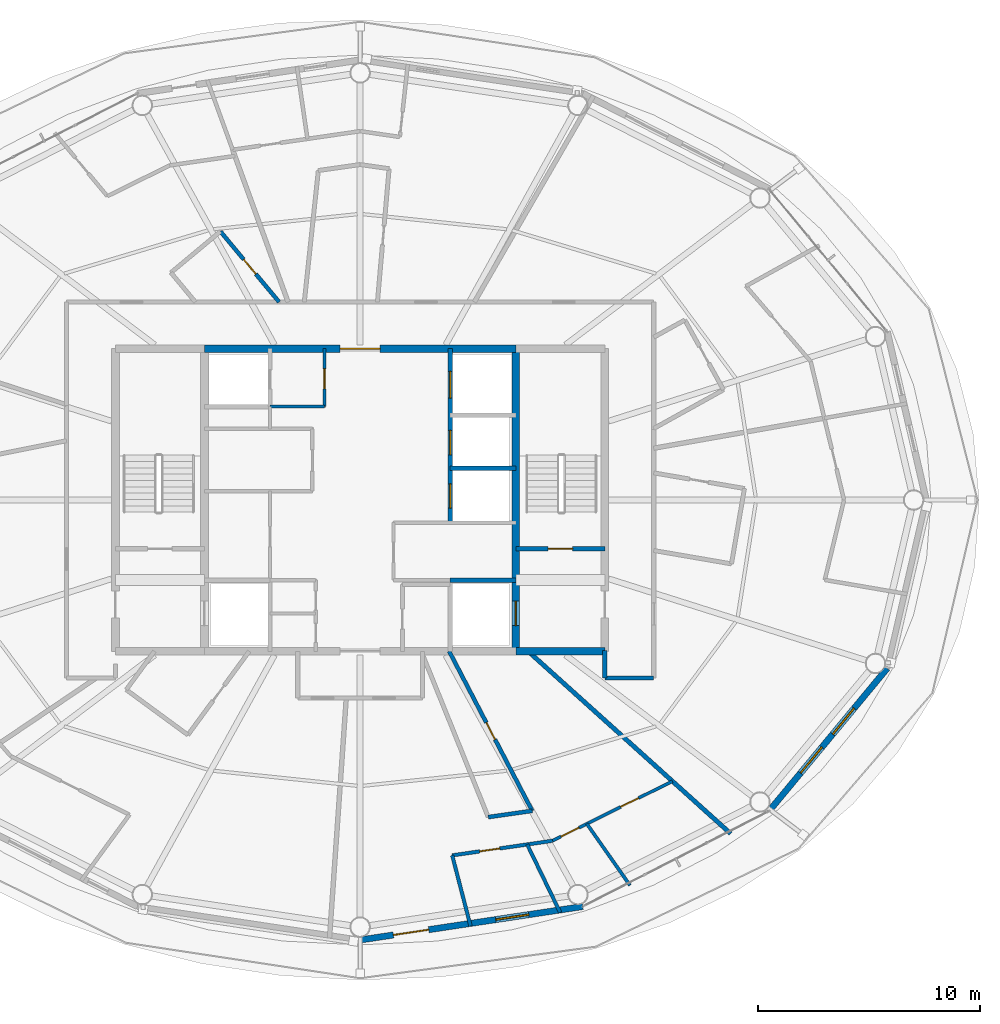
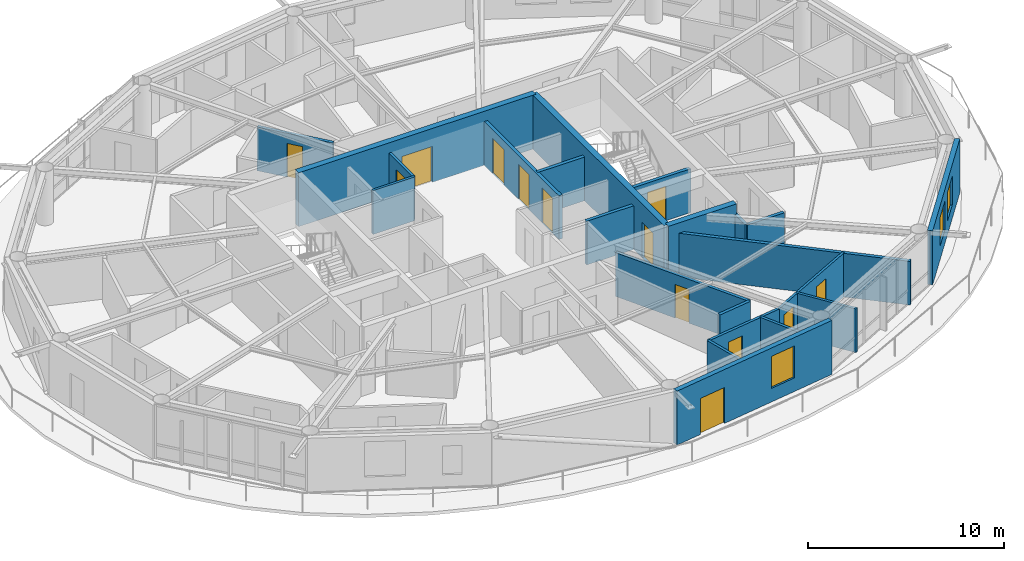
# One storey, part 17 of 22: 22 walls, 13 doors, 3 windows, 16 openings.
"""IFC4 building model written with IfcOpenShell, lengths in metres."""

from ifc_helpers import new_model, si_unit, direction, frame, frame_2d, origin, place, context, subcontext, project, spatial, rectangle, extrude, material, layer, layer_set, type_object, element, fill, save


model = new_model("IFC4")

# Units and contexts
model_context = context("Model", 3, precision=1e-05, world=origin(), true_north=direction((0.0, 1.0)))
body_context = subcontext(model_context, "Body", "Model", "MODEL_VIEW")
ifc_project = project(units=[si_unit("LENGTHUNIT", "METRE"), si_unit("AREAUNIT", "SQUARE_METRE"), si_unit("VOLUMEUNIT", "CUBIC_METRE"), si_unit("PLANEANGLEUNIT", "RADIAN"), si_unit("MASSUNIT", "GRAM", prefix="KILO")], contexts=[model_context])

# Site, building, storey
site_placement = place(None, origin())
site = spatial("IfcSite", under=ifc_project, at=site_placement, CompositionType="ELEMENT")
building_placement = place(site_placement, origin())
building = spatial("IfcBuilding", under=site, at=building_placement, Name="Sarneth Arch Tower", CompositionType="ELEMENT")
storey_placement = place(building_placement, frame((0.0, 0.0, 298.199951171875)))
storey = spatial("IfcBuildingStorey", under=building, at=storey_placement, Name="L77", CompositionType="ELEMENT", Elevation=298.199951171875)

# Wall
ifc_material_1 = material(Name="Concrete C50/60", Category="concrete")
ifc_layer_1 = layer(ifc_material_1, 0.35009765625)
ifc_layer_set_1 = layer_set([ifc_layer_1], Name="Concrete C50/60")
wall_type_1 = type_object("IfcWallType", Name="WALL-CORE-350", PredefinedType="SHEAR", material=ifc_layer_set_1)
wall_1_placement = place(storey_placement, frame((55.0, 35.199951171875, 0.0), z_axis=(0.0, 0.0, 1.0), x_axis=(1.0, 0.0, 0.0)))
element("IfcWall", 1, at=wall_1_placement, inside=storey, type_object=wall_type_1, Name="L77 Core shear wall S-E", PredefinedType="SHEAR", context=body_context, shape_type="SweptSolid", body=[
    extrude(rectangle(XDim=4.0, YDim=0.35009765625, at=frame_2d((2.0, 0.0))), origin(), (0.0, 0.0, 1.0), 3.3701171875),
])

# Wall, opening, door
wall_2_placement = place(storey_placement, frame((41.0, 48.800048828125, 0.0), z_axis=(0.0, 0.0, 1.0), x_axis=(1.0, 0.0, 0.0)))
wall_2 = element("IfcWall", 2, at=wall_2_placement, inside=storey, type_object=wall_type_1, Name="L77 Core shear wall N-M", PredefinedType="SHEAR", context=body_context, shape_type="SweptSolid", body=[
    extrude(rectangle(XDim=14.0, YDim=0.35009765625, at=frame_2d((7.0, 0.0))), origin(), (0.0, 0.0, 1.0), 3.3701171875),
])
opening_1_placement = place(wall_2_placement, frame((6.10009765625, 0.0, 0.0)))
opening_1 = element("IfcOpeningElement", 3, at=opening_1_placement, cuts=wall_2, Name="Opening FD-01", PredefinedType="OPENING", context=body_context, shape_type="SweptSolid", body=[
    extrude(rectangle(XDim=1.800048828125, YDim=2.25, at=frame_2d((0.89990234375, 1.125))), frame((0.0, 0.18505859375, 0.0), z_axis=(0.0, -1.0, 0.0), x_axis=(1.0, 0.0, 0.0)), (0.0, 0.0, 1.0), 0.3701171875),
])
ifc_material_2 = material(Name="Galvanised Steel S275 fire door set", Category="steel")
door_type_1 = type_object("IfcDoorType", Name="DR-FD90-1800", OperationType="DOUBLE_DOOR_SINGLE_SWING", PredefinedType="DOOR", material=ifc_material_2)
door_1_placement = place(opening_1_placement, origin())
door_1 = element("IfcDoor", 4, at=door_1_placement, inside=storey, type_object=door_type_1, Name="L77 Central lift lobby north door", OperationType="DOUBLE_DOOR_SINGLE_SWING", OverallHeight=2.25, OverallWidth=1.800048828125, PredefinedType="DOOR", context=body_context, shape_type="SweptSolid", body=[
    extrude(rectangle(XDim=1.800048828125, YDim=2.25, at=frame_2d((0.89990234375, 1.125))), frame((0.0, 0.02490234375, 0.0), z_axis=(0.0, -1.0, 0.0), x_axis=(1.0, 0.0, 0.0)), (0.0, 0.0, 1.0), 0.050048828125),
])
fill(opening_1, door_1)

wall_3_placement = place(storey_placement, frame((55.0, 35.199951171875, 0.0), z_axis=(0.0, 0.0, 1.0), x_axis=(0.0, 1.0, 0.0)))
wall_3 = element("IfcWall", 5, at=wall_3_placement, inside=storey, type_object=wall_type_1, Name="L77 Core shear wall WEB-E", PredefinedType="SHEAR", context=body_context, shape_type="SweptSolid", body=[
    extrude(rectangle(XDim=13.60009765625, YDim=0.35009765625, at=frame_2d((6.800048828125, 0.0))), origin(), (0.0, 0.0, 1.0), 3.3701171875),
])
opening_2_placement = place(wall_3_placement, frame((1.14990234375, 0.0, 0.0)))
opening_2 = element("IfcOpeningElement", 6, at=opening_2_placement, cuts=wall_3, Name="Opening LD-1", PredefinedType="OPENING", context=body_context, shape_type="SweptSolid", body=[
    extrude(rectangle(XDim=1.10009765625, YDim=2.199951171875, at=frame_2d((0.550048828125, 1.10009765625))), frame((0.0, 0.18505859375, 0.0), z_axis=(0.0, -1.0, 0.0), x_axis=(1.0, 0.0, 0.0)), (0.0, 0.0, 1.0), 0.3701171875),
])
ifc_material_3 = material(Name="Brushed Stainless Steel 304 lift landing door", Category="steel")
door_type_2 = type_object("IfcDoorType", Name="DR-LIFT-SLIDE-1100", OperationType="SLIDING_TO_LEFT", PredefinedType="DOOR", material=ifc_material_3)
door_2_placement = place(opening_2_placement, origin())
door_2 = element("IfcDoor", 7, at=door_2_placement, inside=storey, type_object=door_type_2, Name="L77 Firefighting lift landing door FL-2", OperationType="SLIDING_TO_RIGHT", OverallHeight=2.199951171875, OverallWidth=1.10009765625, PredefinedType="DOOR", context=body_context, shape_type="SweptSolid", body=[
    extrude(rectangle(XDim=1.10009765625, YDim=2.199951171875, at=frame_2d((0.550048828125, 1.10009765625))), frame((0.0, 0.02490234375, 0.0), z_axis=(0.0, -1.0, 0.0), x_axis=(1.0, 0.0, 0.0)), (0.0, 0.0, 1.0), 0.050048828125),
])
fill(opening_2, door_2)

# Walls
ifc_material_4 = material(Name="Double steel-stud corridor fire wall", Category="steel")
ifc_layer_2 = layer(ifc_material_4, 0.18994140625)
ifc_layer_set_2 = layer_set([ifc_layer_2], Name="Double steel-stud corridor fire wall")
wall_type_2 = type_object("IfcWallType", Name="WALL-CORR-190", PredefinedType="PARTITIONING", material=ifc_layer_set_2)
wall_4_placement = place(storey_placement, frame((61.199951171875, 34.0, 0.0), z_axis=(0.0, 0.0, 1.0), x_axis=(-1.0, 0.0, 0.0)))
element("IfcWall", 8, at=wall_4_placement, inside=storey, type_object=wall_type_2, Name="L77 Interior partition W-L77-TP-018", PredefinedType="PARTITIONING", context=body_context, shape_type="SweptSolid", body=[
    extrude(rectangle(XDim=2.199951171875, YDim=0.18994140625, at=frame_2d((1.10009765625, 0.0))), origin(), (0.0, 0.0, 1.0), 2.72998046875),
])
wall_5_placement = place(storey_placement, frame((59.0, 34.0, 0.0), z_axis=(0.0, 0.0, 1.0), x_axis=(0.0, 1.0, 0.0)))
element("IfcWall", 9, at=wall_5_placement, inside=storey, type_object=wall_type_2, Name="L77 Interior partition W-L77-TP-019", PredefinedType="PARTITIONING", context=body_context, shape_type="SweptSolid", body=[
    extrude(rectangle(XDim=1.23193359375, YDim=0.18994140625, at=frame_2d((0.615966796875, 0.0))), origin(), (0.0, 0.0, 1.0), 2.72998046875),
])

# Wall, openings, door, window
ifc_material_5 = material(Name="Extruded terracotta rainscreen on Concrete C40/50 backing", Category="masonry")
ifc_layer_3 = layer(ifc_material_5, 0.280029296875)
ifc_layer_set_3 = layer_set([ifc_layer_3], Name="Extruded terracotta rainscreen on Concrete C40/50 backing")
wall_type_3 = type_object("IfcWallType", Name="WALL-EXT-TERRA-280", PredefinedType="SOLIDWALL", material=ifc_layer_set_3)
wall_6_placement = place(storey_placement, frame((48.0, 22.219970703125, 0.0), z_axis=(0.0, 0.0, 1.0), x_axis=(0.988882522213, 0.148698881169, 0.0)))
wall_6 = element("IfcWall", 10, at=wall_6_placement, inside=storey, type_object=wall_type_3, Name="L77 Terracotta perimeter wall 13", PredefinedType="SOLIDWALL", context=body_context, shape_type="SweptSolid", body=[
    extrude(rectangle(XDim=10.125244140625, YDim=0.280029296875, at=frame_2d((5.0625, 0.0))), origin(), (0.0, 0.0, 1.0), 3.3701171875),
])
opening_3_placement = place(wall_6_placement, frame((1.51611328125, 0.0, 0.0)))
opening_3 = element("IfcOpeningElement", 11, at=opening_3_placement, cuts=wall_6, Name="Opening BD-1", PredefinedType="OPENING", context=body_context, shape_type="SweptSolid", body=[
    extrude(rectangle(XDim=1.60009765625, YDim=2.25, at=frame_2d((0.800048828125, 1.125))), frame((0.0, 0.14990234375, 0.0), z_axis=(0.0, -1.0, 0.0), x_axis=(1.0, 0.0, 0.0)), (0.0, 0.0, 1.0), 0.300048828125),
])
opening_4_placement = place(wall_6_placement, frame((6.169189453125, 0.0, 0.85009765625)))
opening_4 = element("IfcOpeningElement", 12, at=opening_4_placement, cuts=wall_6, Name="Opening W-06", PredefinedType="OPENING", context=body_context, shape_type="SweptSolid", body=[
    extrude(rectangle(XDim=1.5, YDim=2.0, at=frame_2d((0.75, 1.0))), frame((0.0, 0.14990234375, 0.0), z_axis=(0.0, -1.0, 0.0), x_axis=(1.0, 0.0, 0.0)), (0.0, 0.0, 1.0), 0.300048828125),
])
ifc_material_6 = material(Name="Thermally broken Aluminium 6063-T6 and laminated safety glass", Category="aluminium")
door_type_3 = type_object("IfcDoorType", Name="DR-BALC-GLZ-1600", OperationType="DOUBLE_DOOR_SINGLE_SWING", PredefinedType="DOOR", material=ifc_material_6)
door_3_placement = place(opening_3_placement, origin())
door_3 = element("IfcDoor", 13, at=door_3_placement, inside=storey, type_object=door_type_3, Name="L77 Balcony glazed door 13", OperationType="DOUBLE_DOOR_SINGLE_SWING", OverallHeight=2.25, OverallWidth=1.60009765625, PredefinedType="DOOR", context=body_context, shape_type="SweptSolid", body=[
    extrude(rectangle(XDim=1.60009765625, YDim=2.25, at=frame_2d((0.800048828125, 1.125))), frame((0.0, 0.02490234375, 0.0), z_axis=(0.0, -1.0, 0.0), x_axis=(1.0, 0.0, 0.0)), (0.0, 0.0, 1.0), 0.050048828125),
])
fill(opening_3, door_3)
ifc_material_7 = material(Name="Thermally broken Aluminium 6063-T6 and low-e laminated IGU", Category="aluminium")
window_type_1 = type_object("IfcWindowType", Name="WIN-TWR-1500x2000", PartitioningType="SINGLE_PANEL", PredefinedType="WINDOW", material=ifc_material_7)
window_1_placement = place(opening_4_placement, origin())
window_1 = element("IfcWindow", 14, at=window_1_placement, inside=storey, type_object=window_type_1, Name="L77 Exterior window 13A", OverallHeight=2.0, OverallWidth=1.5, PartitioningType="SINGLE_PANEL", PredefinedType="WINDOW", context=body_context, shape_type="SweptSolid", body=[
    extrude(rectangle(XDim=1.5, YDim=2.0, at=frame_2d((0.75, 1.0))), frame((0.0, 0.030029296875, 0.0), z_axis=(0.0, -1.0, 0.0), x_axis=(1.0, 0.0, 0.0)), (0.0, 0.0, 1.0), 0.06005859375),
])
fill(opening_4, window_1)

# Wall, openings, windows
wall_7_placement = place(storey_placement, frame((66.382568359375, 28.013427734375, 0.0), z_axis=(0.0, 0.0, 1.0), x_axis=(0.63761509934, 0.770355103243, 0.0)))
wall_7 = element("IfcWall", 15, at=wall_7_placement, inside=storey, type_object=wall_type_3, Name="L77 Terracotta perimeter wall 15", PredefinedType="SOLIDWALL", context=body_context, shape_type="SweptSolid", body=[
    extrude(rectangle(XDim=8.329833984375, YDim=0.280029296875, at=frame_2d((4.1650390625, 0.0))), origin(), (0.0, 0.0, 1.0), 3.3701171875),
])
opening_5_placement = place(wall_7_placement, frame((2.226318359375, 0.0, 0.85009765625)))
opening_5 = element("IfcOpeningElement", 16, at=opening_5_placement, cuts=wall_7, Name="Opening W-07", PredefinedType="OPENING", context=body_context, shape_type="SweptSolid", body=[
    extrude(rectangle(XDim=1.5, YDim=1.800048828125, at=frame_2d((0.75, 0.89990234375))), frame((0.0, 0.14990234375, 0.0), z_axis=(0.0, -1.0, 0.0), x_axis=(1.0, 0.0, 0.0)), (0.0, 0.0, 1.0), 0.300048828125),
])
opening_6_placement = place(wall_7_placement, frame((4.496337890625, 0.0, 0.85009765625)))
opening_6 = element("IfcOpeningElement", 17, at=opening_6_placement, cuts=wall_7, Name="Opening W-07", PredefinedType="OPENING", context=body_context, shape_type="SweptSolid", body=[
    extrude(rectangle(XDim=1.5, YDim=1.800048828125, at=frame_2d((0.75, 0.89990234375))), frame((0.0, 0.14990234375, 0.0), z_axis=(0.0, -1.0, 0.0), x_axis=(1.0, 0.0, 0.0)), (0.0, 0.0, 1.0), 0.300048828125),
])
ifc_material_8 = material(Name="Thermally broken Aluminium 6063-T6 and low-e laminated IGU", Category="aluminium")
window_type_2 = type_object("IfcWindowType", Name="WIN-TWR-1500x1800", PartitioningType="SINGLE_PANEL", PredefinedType="WINDOW", material=ifc_material_8)
window_2_placement = place(opening_5_placement, origin())
window_2 = element("IfcWindow", 18, at=window_2_placement, inside=storey, type_object=window_type_2, Name="L77 Exterior window 15A", OverallHeight=1.800048828125, OverallWidth=1.5, PartitioningType="SINGLE_PANEL", PredefinedType="WINDOW", context=body_context, shape_type="SweptSolid", body=[
    extrude(rectangle(XDim=1.5, YDim=1.800048828125, at=frame_2d((0.75, 0.89990234375))), frame((0.0, 0.030029296875, 0.0), z_axis=(0.0, -1.0, 0.0), x_axis=(1.0, 0.0, 0.0)), (0.0, 0.0, 1.0), 0.06005859375),
])
fill(opening_5, window_2)
window_3_placement = place(opening_6_placement, origin())
window_3 = element("IfcWindow", 19, at=window_3_placement, inside=storey, type_object=window_type_2, Name="L77 Exterior window 15B", OverallHeight=1.800048828125, OverallWidth=1.5, PartitioningType="SINGLE_PANEL", PredefinedType="WINDOW", context=body_context, shape_type="SweptSolid", body=[
    extrude(rectangle(XDim=1.5, YDim=1.800048828125, at=frame_2d((0.75, 0.89990234375))), frame((0.0, 0.030029296875, 0.0), z_axis=(0.0, -1.0, 0.0), x_axis=(1.0, 0.0, 0.0)), (0.0, 0.0, 1.0), 0.06005859375),
])
fill(opening_6, window_3)

# Wall, openings, doors
ifc_material_9 = material(Name="Apartment internal stud partition", Category="gypsum")
ifc_layer_4 = layer(ifc_material_9, 0.139892578125)
ifc_layer_set_4 = layer_set([ifc_layer_4], Name="Apartment internal stud partition")
wall_type_4 = type_object("IfcWallType", Name="WALL-PART-140", PredefinedType="PARTITIONING", material=ifc_layer_set_4)
wall_8_placement = place(storey_placement, frame((56.65478515625, 26.68212890625, 0.0), z_axis=(0.0, 0.0, 1.0), x_axis=(0.895585218268, 0.444890005304, 0.0)))
wall_8 = element("IfcWall", 20, at=wall_8_placement, inside=storey, type_object=wall_type_4, Name="L77 Interior partition W-L77-TP-084", PredefinedType="PARTITIONING", context=body_context, shape_type="SweptSolid", body=[
    extrude(rectangle(XDim=6.013916015625, YDim=0.139892578125, at=frame_2d((3.0068359375, 0.0))), origin(), (0.0, 0.0, 1.0), 2.72998046875),
])
opening_7_placement = place(wall_8_placement, frame((3.414794921875, 0.0, 0.0)))
opening_7 = element("IfcOpeningElement", 21, at=opening_7_placement, cuts=wall_8, Name="Opening ID-01", PredefinedType="OPENING", context=body_context, shape_type="SweptSolid", body=[
    extrude(rectangle(XDim=0.89990234375, YDim=2.10009765625, at=frame_2d((0.449951171875, 1.050048828125))), frame((0.0, 0.079833984375, 0.0), z_axis=(0.0, -1.0, 0.0), x_axis=(1.0, 0.0, 0.0)), (0.0, 0.0, 1.0), 0.159912109375),
])
opening_8_placement = place(wall_8_placement, frame((0.424072265625, 0.0, 0.0)))
opening_8 = element("IfcOpeningElement", 22, at=opening_8_placement, cuts=wall_8, Name="Opening ID-01", PredefinedType="OPENING", context=body_context, shape_type="SweptSolid", body=[
    extrude(rectangle(XDim=0.89990234375, YDim=2.10009765625, at=frame_2d((0.449951171875, 1.050048828125))), frame((0.0, 0.079833984375, 0.0), z_axis=(0.0, -1.0, 0.0), x_axis=(1.0, 0.0, 0.0)), (0.0, 0.0, 1.0), 0.159912109375),
])
ifc_material_10 = material(Name="Engineered hardwood flush door", Category="wood")
door_type_4 = type_object("IfcDoorType", Name="DR-INT-900", OperationType="SINGLE_SWING_LEFT", PredefinedType="DOOR", material=ifc_material_10)
door_4_placement = place(opening_7_placement, origin())
door_4 = element("IfcDoor", 23, at=door_4_placement, inside=storey, type_object=door_type_4, Name="L77 Interior door DR-L77-U6-BED2", OperationType="SINGLE_SWING_RIGHT", OverallHeight=2.10009765625, OverallWidth=0.89990234375, PredefinedType="DOOR", context=body_context, shape_type="SweptSolid", body=[
    extrude(rectangle(XDim=0.89990234375, YDim=2.10009765625, at=frame_2d((0.449951171875, 1.050048828125))), frame((0.0, 0.02490234375, 0.0), z_axis=(0.0, -1.0, 0.0), x_axis=(1.0, 0.0, 0.0)), (0.0, 0.0, 1.0), 0.050048828125),
])
fill(opening_7, door_4)
door_5_placement = place(opening_8_placement, origin())
door_5 = element("IfcDoor", 24, at=door_5_placement, inside=storey, type_object=door_type_4, Name="L77 Interior door DR-L77-U6-BED1", OperationType="SINGLE_SWING_RIGHT", OverallHeight=2.10009765625, OverallWidth=0.89990234375, PredefinedType="DOOR", context=body_context, shape_type="SweptSolid", body=[
    extrude(rectangle(XDim=0.89990234375, YDim=2.10009765625, at=frame_2d((0.449951171875, 1.050048828125))), frame((0.0, 0.02490234375, 0.0), z_axis=(0.0, -1.0, 0.0), x_axis=(1.0, 0.0, 0.0)), (0.0, 0.0, 1.0), 0.050048828125),
])
fill(opening_8, door_5)

# Wall
ifc_material_11 = material(Name="Acoustic gypsum stud partition", Category="gypsum")
ifc_layer_5 = layer(ifc_material_11, 0.14990234375)
ifc_layer_set_5 = layer_set([ifc_layer_5], Name="Acoustic gypsum stud partition")
wall_type_5 = type_object("IfcWallType", Name="WALL-PART-150", PredefinedType="PARTITIONING", material=ifc_layer_set_5)
wall_9_placement = place(storey_placement, frame((43.949951171875, 46.199951171875, 0.0), z_axis=(0.0, 0.0, 1.0), x_axis=(1.0, 0.0, 0.0)))
element("IfcWall", 25, at=wall_9_placement, inside=storey, type_object=wall_type_5, Name="L77 Interior partition W-L77-CSUP3-S", PredefinedType="PARTITIONING", context=body_context, shape_type="SweptSolid", body=[
    extrude(rectangle(XDim=2.449951171875, YDim=0.14990234375, at=frame_2d((1.22509765625, 0.0))), origin(), (0.0, 0.0, 1.0), 2.72998046875),
])

# Wall, opening, door
wall_10_placement = place(storey_placement, frame((46.39990234375, 46.199951171875, 0.0), z_axis=(0.0, 0.0, 1.0), x_axis=(0.0, 1.0, 0.0)))
wall_10 = element("IfcWall", 26, at=wall_10_placement, inside=storey, type_object=wall_type_5, Name="L77 Interior partition W-L77-CSUP3-E", PredefinedType="PARTITIONING", context=body_context, shape_type="SweptSolid", body=[
    extrude(rectangle(XDim=2.60009765625, YDim=0.14990234375, at=frame_2d((1.300048828125, 0.0))), origin(), (0.0, 0.0, 1.0), 2.72998046875),
])
opening_9_placement = place(wall_10_placement, frame((0.800048828125, 0.0, 0.0)))
opening_9 = element("IfcOpeningElement", 27, at=opening_9_placement, cuts=wall_10, Name="Opening FD-10", PredefinedType="OPENING", context=body_context, shape_type="SweptSolid", body=[
    extrude(rectangle(XDim=0.89990234375, YDim=2.14990234375, at=frame_2d((0.449951171875, 1.074951171875))), frame((0.0, 0.0849609375, 0.0), z_axis=(0.0, -1.0, 0.0), x_axis=(1.0, 0.0, 0.0)), (0.0, 0.0, 1.0), 0.169921875),
])
ifc_material_12 = material(Name="Galvanised Steel S275 riser/service fire door", Category="steel")
door_type_5 = type_object("IfcDoorType", Name="DR-FD60-900", OperationType="SINGLE_SWING_LEFT", PredefinedType="DOOR", material=ifc_material_12)
door_6_placement = place(opening_9_placement, origin())
door_6 = element("IfcDoor", 28, at=door_6_placement, inside=storey, type_object=door_type_5, Name="L77 Interior door DR-L77-CSUP3", OperationType="SINGLE_SWING_LEFT", OverallHeight=2.14990234375, OverallWidth=0.89990234375, PredefinedType="DOOR", context=body_context, shape_type="SweptSolid", body=[
    extrude(rectangle(XDim=0.89990234375, YDim=2.14990234375, at=frame_2d((0.449951171875, 1.074951171875))), frame((0.0, 0.02490234375, 0.0), z_axis=(0.0, -1.0, 0.0), x_axis=(1.0, 0.0, 0.0)), (0.0, 0.0, 1.0), 0.050048828125),
])
fill(opening_9, door_6)

# Wall
wall_11_placement = place(storey_placement, frame((58.19140625, 27.4453125, 0.0), z_axis=(0.0, 0.0, 1.0), x_axis=(0.573559302344, -0.819164041383, 0.0)))
element("IfcWall", 29, at=wall_11_placement, inside=storey, type_object=wall_type_5, Name="L77 Interior partition W-L77-TP-087", PredefinedType="PARTITIONING", context=body_context, shape_type="SweptSolid", body=[
    extrude(rectangle(XDim=3.379638671875, YDim=0.14990234375, at=frame_2d((1.68994140625, 0.0))), origin(), (0.0, 0.0, 1.0), 2.72998046875),
])

# Wall, opening, door
ifc_material_13 = material(Name="Kitchen wet service chase wall", Category="gypsum")
ifc_layer_6 = layer(ifc_material_13, 0.159912109375)
ifc_layer_set_6 = layer_set([ifc_layer_6], Name="Kitchen wet service chase wall")
wall_type_6 = type_object("IfcWallType", Name="WALL-PLUMB-160", PredefinedType="PLUMBINGWALL", material=ifc_layer_set_6)
wall_12_placement = place(storey_placement, frame((52.14111328125, 26.02392578125, 0.0), z_axis=(0.0, 0.0, 1.0), x_axis=(0.989534254842, 0.144298158322, 0.0)))
wall_12 = element("IfcWall", 30, at=wall_12_placement, inside=storey, type_object=wall_type_6, Name="L77 Interior partition W-L77-TP-078", PredefinedType="PLUMBINGWALL", context=body_context, shape_type="SweptSolid", body=[
    extrude(rectangle(XDim=4.5615234375, YDim=0.159912109375, at=frame_2d((2.28076171875, 0.0))), origin(), (0.0, 0.0, 1.0), 2.72998046875),
])
opening_10_placement = place(wall_12_placement, frame((1.252197265625, 0.0, 0.0)))
opening_10 = element("IfcOpeningElement", 31, at=opening_10_placement, cuts=wall_12, Name="Opening ID-01", PredefinedType="OPENING", context=body_context, shape_type="SweptSolid", body=[
    extrude(rectangle(XDim=0.89990234375, YDim=2.10009765625, at=frame_2d((0.449951171875, 1.050048828125))), frame((0.0, 0.08984375, 0.0), z_axis=(0.0, -1.0, 0.0), x_axis=(1.0, 0.0, 0.0)), (0.0, 0.0, 1.0), 0.179931640625),
])
door_7_placement = place(opening_10_placement, origin())
door_7 = element("IfcDoor", 32, at=door_7_placement, inside=storey, type_object=door_type_4, Name="L77 Interior door DR-L77-U6-KIT", OperationType="SINGLE_SWING_LEFT", OverallHeight=2.10009765625, OverallWidth=0.89990234375, PredefinedType="DOOR", context=body_context, shape_type="SweptSolid", body=[
    extrude(rectangle(XDim=0.89990234375, YDim=2.10009765625, at=frame_2d((0.449951171875, 1.050048828125))), frame((0.0, 0.02490234375, 0.0), z_axis=(0.0, -1.0, 0.0), x_axis=(1.0, 0.0, 0.0)), (0.0, 0.0, 1.0), 0.050048828125),
])
fill(opening_10, door_7)

# Walls
wall_13_placement = place(storey_placement, frame((55.509765625, 26.51513671875, 0.0), z_axis=(0.0, 0.0, 1.0), x_axis=(0.436379231312, -0.899762839019, 0.0)))
element("IfcWall", 33, at=wall_13_placement, inside=storey, type_object=wall_type_6, Name="L77 Interior partition W-L77-TP-086", PredefinedType="PLUMBINGWALL", context=body_context, shape_type="SweptSolid", body=[
    extrude(rectangle(XDim=3.3994140625, YDim=0.159912109375, at=frame_2d((1.69970703125, 0.0))), origin(), (0.0, 0.0, 1.0), 2.72998046875),
])
wall_14_placement = place(storey_placement, frame((52.96484375, 22.845947265625, 0.0), z_axis=(0.0, 0.0, 1.0), x_axis=(-0.250907961693, 0.968010947644, 0.0)))
element("IfcWall", 34, at=wall_14_placement, inside=storey, type_object=wall_type_6, Name="L77 Interior partition W-L77-TP-077", PredefinedType="PLUMBINGWALL", context=body_context, shape_type="SweptSolid", body=[
    extrude(rectangle(XDim=3.282958984375, YDim=0.159912109375, at=frame_2d((1.6416015625, 0.0))), origin(), (0.0, 0.0, 1.0), 2.72998046875),
])

# Wall, opening, door
ifc_material_14 = material(Name="Moisture-resistant plumbing chase wall", Category="gypsum")
ifc_layer_7 = layer(ifc_material_14, 0.179931640625)
ifc_layer_set_7 = layer_set([ifc_layer_7], Name="Moisture-resistant plumbing chase wall")
wall_type_7 = type_object("IfcWallType", Name="WALL-PLUMB-180", PredefinedType="PLUMBINGWALL", material=ifc_layer_set_7)
wall_15_placement = place(storey_placement, frame((55.735595703125, 28.026611328125, 0.0), z_axis=(0.0, 0.0, 1.0), x_axis=(-0.461598928477, 0.88708873808, 0.0)))
wall_15 = element("IfcWall", 35, at=wall_15_placement, inside=storey, type_object=wall_type_7, Name="L77 Interior partition W-L77-TP-081", PredefinedType="PLUMBINGWALL", context=body_context, shape_type="SweptSolid", body=[
    extrude(rectangle(XDim=8.08642578125, YDim=0.179931640625, at=frame_2d((4.043212890625, 0.0))), origin(), (0.0, 0.0, 1.0), 2.72998046875),
])
opening_11_placement = place(wall_15_placement, frame((3.6181640625, 0.0, 0.0)))
opening_11 = element("IfcOpeningElement", 36, at=opening_11_placement, cuts=wall_15, Name="Opening ID-02", PredefinedType="OPENING", context=body_context, shape_type="SweptSolid", body=[
    extrude(rectangle(XDim=0.85009765625, YDim=2.10009765625, at=frame_2d((0.425048828125, 1.050048828125))), frame((0.0, 0.099853515625, 0.0), z_axis=(0.0, -1.0, 0.0), x_axis=(1.0, 0.0, 0.0)), (0.0, 0.0, 1.0), 0.199951171875),
])
ifc_material_15 = material(Name="Moisture-resistant bathroom timber door", Category="wood")
door_type_6 = type_object("IfcDoorType", Name="DR-INT-850", OperationType="SINGLE_SWING_RIGHT", PredefinedType="DOOR", material=ifc_material_15)
door_8_placement = place(opening_11_placement, origin())
door_8 = element("IfcDoor", 37, at=door_8_placement, inside=storey, type_object=door_type_6, Name="L77 Interior door DR-L77-U6-BATH", OperationType="SINGLE_SWING_LEFT", OverallHeight=2.10009765625, OverallWidth=0.85009765625, PredefinedType="DOOR", context=body_context, shape_type="SweptSolid", body=[
    extrude(rectangle(XDim=0.85009765625, YDim=2.10009765625, at=frame_2d((0.425048828125, 1.050048828125))), frame((0.0, 0.02490234375, 0.0), z_axis=(0.0, -1.0, 0.0), x_axis=(1.0, 0.0, 0.0)), (0.0, 0.0, 1.0), 0.050048828125),
])
fill(opening_11, door_8)

wall_16_placement = place(storey_placement, frame((41.719970703125, 54.072021484375, 0.0), z_axis=(0.0, 0.0, 1.0), x_axis=(0.639538183981, -0.768759332451, 0.0)))
wall_16 = element("IfcWall", 38, at=wall_16_placement, inside=storey, type_object=wall_type_7, Name="L77 Interior partition W-L77-TP-050", PredefinedType="PLUMBINGWALL", context=body_context, shape_type="SweptSolid", body=[
    extrude(rectangle(XDim=4.126220703125, YDim=0.179931640625, at=frame_2d((2.06298828125, 0.0))), origin(), (0.0, 0.0, 1.0), 2.72998046875),
])
opening_12_placement = place(wall_16_placement, frame((1.63818359375, 0.0, 0.0)))
opening_12 = element("IfcOpeningElement", 39, at=opening_12_placement, cuts=wall_16, Name="Opening ID-02", PredefinedType="OPENING", context=body_context, shape_type="SweptSolid", body=[
    extrude(rectangle(XDim=0.85009765625, YDim=2.10009765625, at=frame_2d((0.425048828125, 1.050048828125))), frame((0.0, 0.099853515625, 0.0), z_axis=(0.0, -1.0, 0.0), x_axis=(1.0, 0.0, 0.0)), (0.0, 0.0, 1.0), 0.199951171875),
])
door_9_placement = place(opening_12_placement, origin())
door_9 = element("IfcDoor", 40, at=door_9_placement, inside=storey, type_object=door_type_6, Name="L77 Interior door DR-L77-U3-BATH", OperationType="SINGLE_SWING_RIGHT", OverallHeight=2.10009765625, OverallWidth=0.85009765625, PredefinedType="DOOR", context=body_context, shape_type="SweptSolid", body=[
    extrude(rectangle(XDim=0.85009765625, YDim=2.10009765625, at=frame_2d((0.425048828125, 1.050048828125))), frame((0.0, 0.02490234375, 0.0), z_axis=(0.0, -1.0, 0.0), x_axis=(1.0, 0.0, 0.0)), (0.0, 0.0, 1.0), 0.050048828125),
])
fill(opening_12, door_9)

# Wall
wall_17_placement = place(storey_placement, frame((53.759765625, 27.743896484375, 0.0), z_axis=(0.0, 0.0, 1.0), x_axis=(0.989917666011, 0.141643970992, 0.0)))
element("IfcWall", 41, at=wall_17_placement, inside=storey, type_object=wall_type_7, Name="L77 Interior partition W-L77-TP-080", PredefinedType="PLUMBINGWALL", context=body_context, shape_type="SweptSolid", body=[
    extrude(rectangle(XDim=1.995849609375, YDim=0.179931640625, at=frame_2d((0.998046875, 0.0))), origin(), (0.0, 0.0, 1.0), 2.72998046875),
])

# Wall, opening, door
ifc_material_16 = material(Name="Aerated concrete blockwork C25/30", Category="masonry")
ifc_layer_8 = layer(ifc_material_16, 0.199951171875)
ifc_layer_set_8 = layer_set([ifc_layer_8], Name="Aerated concrete blockwork C25/30")
wall_type_8 = type_object("IfcWallType", Name="WALL-SHAFT-200", PredefinedType="SOLIDWALL", material=ifc_layer_set_8)
wall_18_placement = place(storey_placement, frame((55.0, 39.800048828125, 0.0), z_axis=(0.0, 0.0, 1.0), x_axis=(1.0, 0.0, 0.0)))
wall_18 = element("IfcWall", 42, at=wall_18_placement, inside=storey, type_object=wall_type_8, Name="L77 Interior partition W-L77-ST2-S", PredefinedType="SOLIDWALL", context=body_context, shape_type="SweptSolid", body=[
    extrude(rectangle(XDim=4.0, YDim=0.199951171875, at=frame_2d((2.0, 0.0))), origin(), (0.0, 0.0, 1.0), 2.72998046875),
])
opening_13_placement = place(wall_18_placement, frame((1.449951171875, 0.0, 0.0)))
opening_13 = element("IfcOpeningElement", 43, at=opening_13_placement, cuts=wall_18, Name="Opening FD-03", PredefinedType="OPENING", context=body_context, shape_type="SweptSolid", body=[
    extrude(rectangle(XDim=1.10009765625, YDim=2.14990234375, at=frame_2d((0.550048828125, 1.074951171875))), frame((0.0, 0.10986328125, 0.0), z_axis=(0.0, -1.0, 0.0), x_axis=(1.0, 0.0, 0.0)), (0.0, 0.0, 1.0), 0.219970703125),
])
ifc_material_17 = material(Name="Galvanised Steel S275 fire door set", Category="steel")
door_type_7 = type_object("IfcDoorType", Name="DR-FD90-1100", OperationType="SINGLE_SWING_LEFT", PredefinedType="DOOR", material=ifc_material_17)
door_10_placement = place(opening_13_placement, origin())
door_10 = element("IfcDoor", 44, at=door_10_placement, inside=storey, type_object=door_type_7, Name="L77 Interior door DR-L77-ST2", OperationType="SINGLE_SWING_RIGHT", OverallHeight=2.14990234375, OverallWidth=1.10009765625, PredefinedType="DOOR", context=body_context, shape_type="SweptSolid", body=[
    extrude(rectangle(XDim=1.10009765625, YDim=2.14990234375, at=frame_2d((0.550048828125, 1.074951171875))), frame((0.0, 0.02490234375, 0.0), z_axis=(0.0, -1.0, 0.0), x_axis=(1.0, 0.0, 0.0)), (0.0, 0.0, 1.0), 0.050048828125),
])
fill(opening_13, door_10)

# Walls
for number, where, z_axis, x_axis, name in (
    (45, (52.050048828125, 38.39990234375, 0.0), (0.0, 0.0, 1.0), (1.0, 0.0, 0.0), "L77 Interior partition W-L77-FL2-N"),
    (46, (52.050048828125, 43.419921875, 0.0), (0.0, 0.0, 1.0), (1.0, 0.0, 0.0), "L77 Interior partition W-L77-EB-DIV-4342"),
):
    element("IfcWall", number, at=place(storey_placement, frame(where, z_axis=z_axis, x_axis=x_axis)), inside=storey, type_object=wall_type_8, Name=name, PredefinedType="SOLIDWALL", context=body_context, shape_type="SweptSolid", body=[
        extrude(rectangle(XDim=2.949951171875, YDim=0.199951171875, at=frame_2d((1.47509765625, 0.0))), origin(), (0.0, 0.0, 1.0), 2.72998046875),
    ])

# Wall, openings, doors
wall_19_placement = place(storey_placement, frame((52.050048828125, 40.97998046875, 0.0), z_axis=(0.0, 0.0, 1.0), x_axis=(0.0, 1.0, 0.0)))
wall_19 = element("IfcWall", 47, at=wall_19_placement, inside=storey, type_object=wall_type_8, Name="L77 Interior partition W-L77-EASTBANK-UPPER", PredefinedType="SOLIDWALL", context=body_context, shape_type="SweptSolid", body=[
    extrude(rectangle(XDim=7.820068359375, YDim=0.199951171875, at=frame_2d((3.91015625, 0.0))), origin(), (0.0, 0.0, 1.0), 2.72998046875),
])
opening_14_placement = place(wall_19_placement, frame((0.64990234375, 0.0, 0.0)))
opening_14 = element("IfcOpeningElement", 48, at=opening_14_placement, cuts=wall_19, Name="Opening LD-1", PredefinedType="OPENING", context=body_context, shape_type="SweptSolid", body=[
    extrude(rectangle(XDim=1.10009765625, YDim=2.199951171875, at=frame_2d((0.550048828125, 1.10009765625))), frame((0.0, 0.10986328125, 0.0), z_axis=(0.0, -1.0, 0.0), x_axis=(1.0, 0.0, 0.0)), (0.0, 0.0, 1.0), 0.219970703125),
])
opening_15_placement = place(wall_19_placement, frame((3.050048828125, 0.0, 0.0)))
opening_15 = element("IfcOpeningElement", 49, at=opening_15_placement, cuts=wall_19, Name="Opening LD-1", PredefinedType="OPENING", context=body_context, shape_type="SweptSolid", body=[
    extrude(rectangle(XDim=1.10009765625, YDim=2.199951171875, at=frame_2d((0.550048828125, 1.10009765625))), frame((0.0, 0.10986328125, 0.0), z_axis=(0.0, -1.0, 0.0), x_axis=(1.0, 0.0, 0.0)), (0.0, 0.0, 1.0), 0.219970703125),
])
opening_16_placement = place(wall_19_placement, frame((5.60009765625, 0.0, 0.0)))
opening_16 = element("IfcOpeningElement", 50, at=opening_16_placement, cuts=wall_19, Name="Opening LD-2", PredefinedType="OPENING", context=body_context, shape_type="SweptSolid", body=[
    extrude(rectangle(XDim=1.199951171875, YDim=2.199951171875, at=frame_2d((0.60009765625, 1.10009765625))), frame((0.0, 0.10986328125, 0.0), z_axis=(0.0, -1.0, 0.0), x_axis=(1.0, 0.0, 0.0)), (0.0, 0.0, 1.0), 0.219970703125),
])
door_11_placement = place(opening_14_placement, origin())
door_11 = element("IfcDoor", 51, at=door_11_placement, inside=storey, type_object=door_type_2, Name="L77 Lift landing door DR-L77-LD-PH1", OperationType="SLIDING_TO_RIGHT", OverallHeight=2.199951171875, OverallWidth=1.10009765625, PredefinedType="DOOR", context=body_context, shape_type="SweptSolid", body=[
    extrude(rectangle(XDim=1.10009765625, YDim=2.199951171875, at=frame_2d((0.550048828125, 1.10009765625))), frame((0.0, 0.02490234375, 0.0), z_axis=(0.0, -1.0, 0.0), x_axis=(1.0, 0.0, 0.0)), (0.0, 0.0, 1.0), 0.050048828125),
])
fill(opening_14, door_11)
door_12_placement = place(opening_15_placement, origin())
door_12 = element("IfcDoor", 52, at=door_12_placement, inside=storey, type_object=door_type_2, Name="L77 Lift landing door DR-L77-LD-PH2", OperationType="SLIDING_TO_LEFT", OverallHeight=2.199951171875, OverallWidth=1.10009765625, PredefinedType="DOOR", context=body_context, shape_type="SweptSolid", body=[
    extrude(rectangle(XDim=1.10009765625, YDim=2.199951171875, at=frame_2d((0.550048828125, 1.10009765625))), frame((0.0, 0.02490234375, 0.0), z_axis=(0.0, -1.0, 0.0), x_axis=(1.0, 0.0, 0.0)), (0.0, 0.0, 1.0), 0.050048828125),
])
fill(opening_15, door_12)
ifc_material_18 = material(Name="Brushed Stainless Steel 304 service lift door", Category="steel")
door_type_8 = type_object("IfcDoorType", Name="DR-LIFT-SLIDE-1200", OperationType="SLIDING_TO_RIGHT", PredefinedType="DOOR", material=ifc_material_18)
door_13_placement = place(opening_16_placement, origin())
door_13 = element("IfcDoor", 53, at=door_13_placement, inside=storey, type_object=door_type_8, Name="L77 Lift landing door DR-L77-LD-SL1", OperationType="SLIDING_TO_RIGHT", OverallHeight=2.199951171875, OverallWidth=1.199951171875, PredefinedType="DOOR", context=body_context, shape_type="SweptSolid", body=[
    extrude(rectangle(XDim=1.199951171875, YDim=2.199951171875, at=frame_2d((0.60009765625, 1.10009765625))), frame((0.0, 0.02490234375, 0.0), z_axis=(0.0, -1.0, 0.0), x_axis=(1.0, 0.0, 0.0)), (0.0, 0.0, 1.0), 0.050048828125),
])
fill(opening_16, door_13)

# Wall
ifc_material_19 = material(Name="Double steel-stud acoustic drywall", Category="steel")
ifc_layer_9 = layer(ifc_material_19, 0.199951171875)
ifc_layer_set_9 = layer_set([ifc_layer_9], Name="Double steel-stud acoustic drywall")
wall_type_9 = type_object("IfcWallType", Name="WALL-UNIT-200", PredefinedType="PARTITIONING", material=ifc_layer_set_9)
wall_20_placement = place(storey_placement, frame((64.656005859375, 27.0029296875, 0.0), z_axis=(0.0, 0.0, 1.0), x_axis=(-0.743146474593, 0.669128774826, 0.0)))
element("IfcWall", 54, at=wall_20_placement, inside=storey, type_object=wall_type_9, Name="L77 Interior partition W-L77-TP-085", PredefinedType="PARTITIONING", context=body_context, shape_type="SweptSolid", body=[
    extrude(rectangle(XDim=12.250244140625, YDim=0.199951171875, at=frame_2d((6.125, 0.0))), origin(), (0.0, 0.0, 1.0), 2.72998046875),
])

save(model, "model.ifc")
